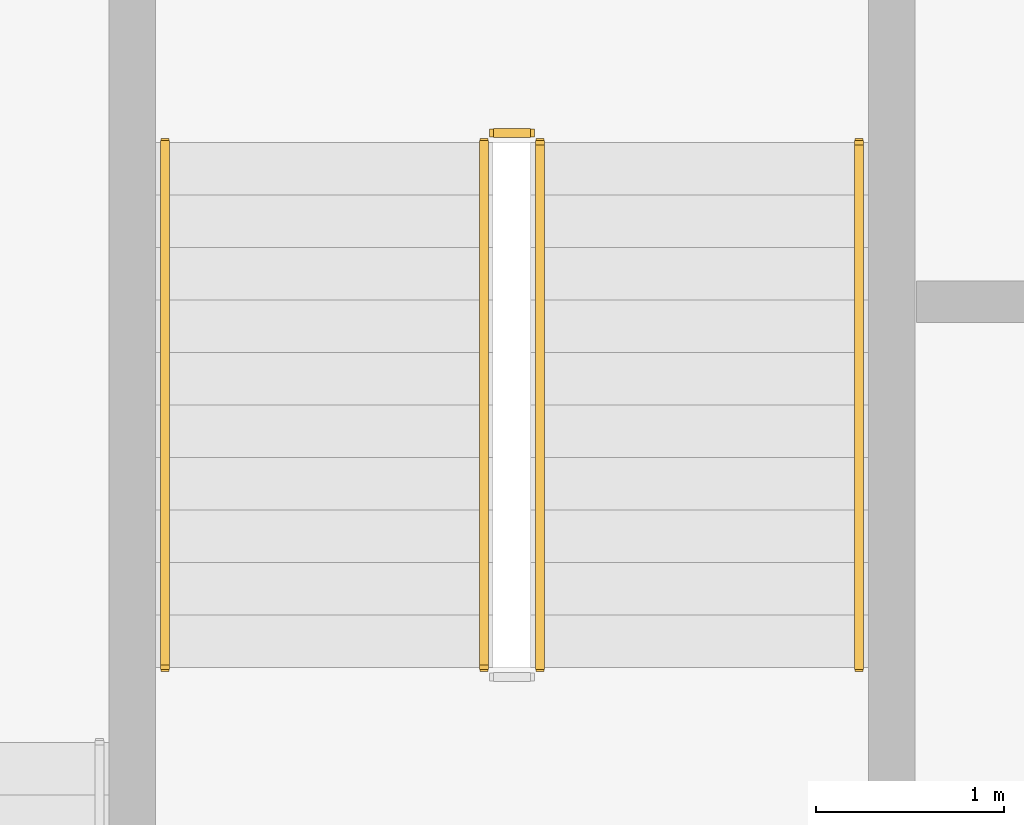
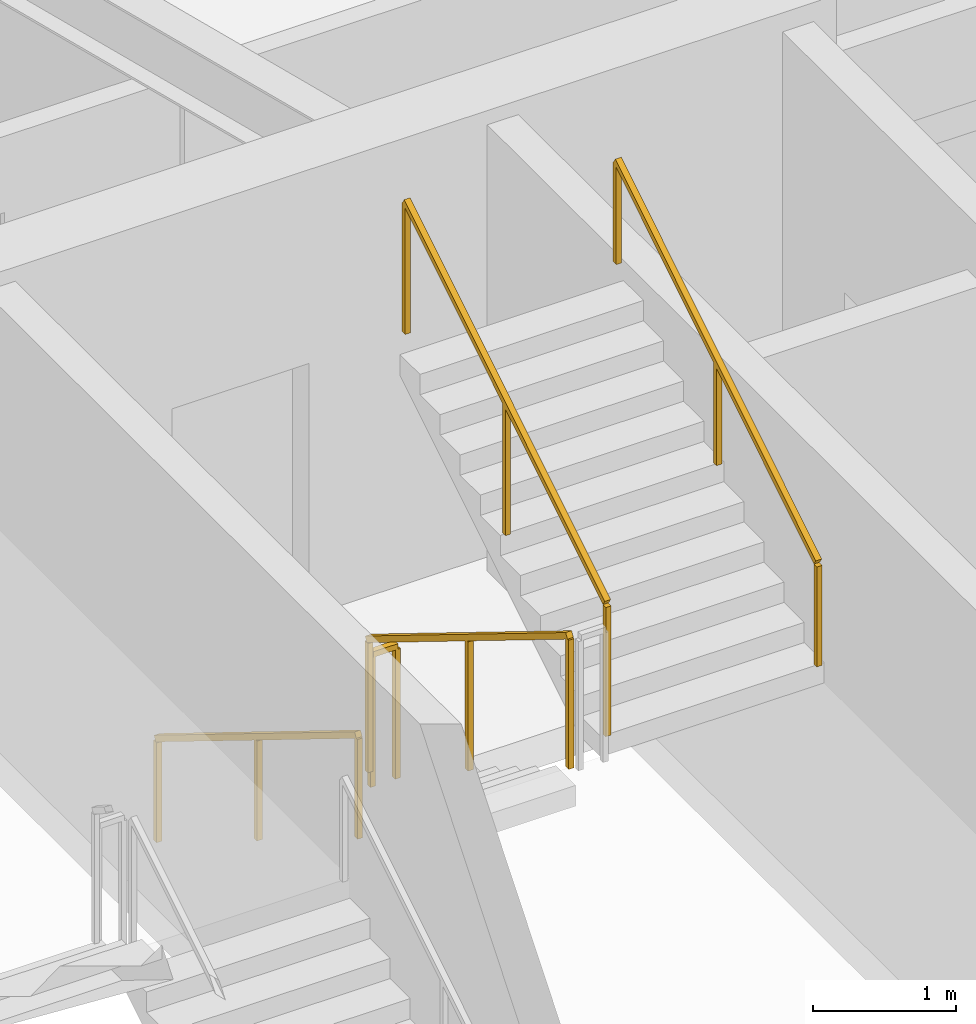
# One storey, part 23 of 23: 5 railings.
"""IFC4 building model written with IfcOpenShell, lengths in metres."""

import ifcopenshell
import ifcopenshell.guid

model = None  # the IFC model being written
_history = None  # IfcOwnerHistory: only IFC2X3 demands one
_inside = {}  # id of a spatial element -> (the spatial element, [elements in it])
_under = {}  # id of a project, library or spatial element -> (it, [spatial elements below it])
_declared = {}  # id of a project -> (the project, [libraries it declares])
_typed = {}  # id of a type object -> (the type object, [elements of that type])
_made_of = {}  # id of a material, layer set ... -> (it, [elements and type objects made of it])


def new_model(schema):
    """Start an empty IFC model of exactly this schema.

    Asked for "IFC4X3", IfcOpenShell would pick the latest addendum, in which some entities
    have other attributes; the version numbers below select the first issue.
    IFC2X3 requires an IfcOwnerHistory on every rooted entity: one is made here for all.
    """
    global model, _history
    if schema == "IFC4X3":
        model = ifcopenshell.file(schema_version=(4, 3, 0, 0))
    else:
        model = ifcopenshell.file(schema=schema)
    _inside.clear()
    _under.clear()
    _declared.clear()
    _typed.clear()
    _made_of.clear()
    _history = None
    if model.schema == "IFC2X3":
        org = make("IfcOrganization", Name="unknown")
        user = make(
            "IfcPersonAndOrganization",
            ThePerson=make("IfcPerson", FamilyName="unknown"),
            TheOrganization=org,
        )
        app = make(
            "IfcApplication",
            ApplicationDeveloper=org,
            Version="unknown",
            ApplicationFullName="unknown",
            ApplicationIdentifier="unknown",
        )
        _history = make(
            "IfcOwnerHistory",
            OwningUser=user,
            OwningApplication=app,
            ChangeAction="ADDED",
            CreationDate=0,
        )
    return model


def make(cls, **values):
    """One entity of the class cls with the attributes given. An attribute that is None is left unset."""
    return model.create_entity(
        cls, **{name: value for name, value in values.items() if value is not None}
    )


def rooted(cls, **values):
    """An entity with a GlobalId (a new one), such as an element, a storey or a relation."""
    return make(cls, GlobalId=ifcopenshell.guid.new(), OwnerHistory=_history, **values)


def si_unit(unit_type, name, prefix=None):
    """IfcSIUnit, for example si_unit("LENGTHUNIT", "METRE", prefix="MILLI")."""
    return make("IfcSIUnit", UnitType=unit_type, Prefix=prefix, Name=name)


def assignment(units):
    """IfcUnitAssignment: the units of a project."""
    return None if units is None else make("IfcUnitAssignment", Units=units)


def point(xyz):
    """IfcCartesianPoint."""
    return None if xyz is None else make("IfcCartesianPoint", Coordinates=xyz)


def direction(xyz):
    """IfcDirection."""
    return None if xyz is None else make("IfcDirection", DirectionRatios=xyz)


def frame(location, z_axis=None, x_axis=None):
    """IfcAxis2Placement3D, a coordinate frame: its origin and axes. An axis left out is left unset."""
    return make(
        "IfcAxis2Placement3D",
        Location=point(location),
        Axis=direction(z_axis),
        RefDirection=direction(x_axis),
    )


def frame_2d(location, x_axis=None):
    """IfcAxis2Placement2D, a coordinate frame in the plane: its origin and x axis."""
    return make(
        "IfcAxis2Placement2D", Location=point(location), RefDirection=direction(x_axis)
    )


def origin():
    """The frame at (0, 0, 0) with its axes left unset."""
    return frame((0.0, 0.0, 0.0))


def origin_2d():
    """The frame at (0, 0) in the plane with its x axis left unset."""
    return frame_2d((0.0, 0.0))


def place(relative_to, where):
    """IfcLocalPlacement: puts the frame where relative to a parent placement (None: the world)."""
    return make(
        "IfcLocalPlacement", PlacementRelTo=relative_to, RelativePlacement=where
    )


def context(
    kind, dimensions, precision=None, world=None, true_north=None, identifier=None
):
    """IfcGeometricRepresentationContext, for example the 3D "Model" context."""
    return make(
        "IfcGeometricRepresentationContext",
        ContextIdentifier=identifier,
        ContextType=kind,
        CoordinateSpaceDimension=dimensions,
        Precision=precision,
        WorldCoordinateSystem=world,
        TrueNorth=true_north,
    )


def subcontext(parent, identifier, kind, view, scale=None):
    """IfcGeometricRepresentationSubContext, for example "Body" below "Model"."""
    return make(
        "IfcGeometricRepresentationSubContext",
        ContextIdentifier=identifier,
        ContextType=kind,
        ParentContext=parent,
        TargetScale=scale,
        TargetView=view,
    )


def project(units=None, contexts=None):
    """IfcProject with its units and contexts."""
    return rooted(
        "IfcProject",
        Name="project",
        RepresentationContexts=contexts,
        UnitsInContext=assignment(units),
    )


def spatial(cls, under=None, at=None, **own):
    """A site, building, storey or space (cls), placed at a placement, below another one or the project."""
    s = rooted(cls, ObjectPlacement=at, **own)
    if under is not None:
        _under.setdefault(under.id(), (under, []))[1].append(s)
    return s


def profile(cls, at=None, kind="AREA", **sizes):
    """A parametric profile (cls). Its sizes go by their IFC names, for example OverallWidth=200.0."""
    return make(cls, ProfileType=kind, Position=at, **sizes)


def rectangle(**sizes):
    """IfcRectangleProfileDef."""
    return profile("IfcRectangleProfileDef", **sizes)


def extrude(swept, where, along, depth):
    """IfcExtrudedAreaSolid: the profile swept, set in the frame where, extruded along a direction by depth."""
    return make(
        "IfcExtrudedAreaSolid",
        SweptArea=swept,
        Position=where,
        ExtrudedDirection=direction(along),
        Depth=depth,
    )


def shape(context_of_items, identifier, shape_type, items):
    """IfcShapeRepresentation: the items that make up one representation, for example the "Body"."""
    return make(
        "IfcShapeRepresentation",
        ContextOfItems=context_of_items,
        RepresentationIdentifier=identifier,
        RepresentationType=shape_type,
        Items=items,
    )


def material(Name=None, Category=None):
    """IfcMaterial."""
    return make("IfcMaterial", Name=Name, Category=Category)


def made_of(thing, what):
    """Note that an element or type object is made of a material, layer set ...; save() writes the relation."""
    if what is not None:
        _made_of.setdefault(what.id(), (what, []))[1].append(thing)
    return thing


def type_object(cls, material=None, **own):
    """A type object (cls), such as IfcWallType, which elements share."""
    return made_of(rooted(cls, **own), material)


def element(
    cls,
    number,
    at=None,
    inside=None,
    cuts=None,
    type_object=None,
    material=None,
    context=None,
    identifier="Body",
    shape_type=None,
    held_by="IfcProductDefinitionShape",
    body=None,
    shapes=None,
    **own,
):
    """One element of the class cls, such as IfcWall. Its Tag is "e" and its number.

    at: its placement. inside: the storey or other place that contains it. cuts: it is an
    opening in that element (IfcRelVoidsElement). A single representation is given by context,
    identifier, shape_type and body (its items); several are given by shapes. held_by: the class
    of the entity that holds the representations. save() writes the other relations.
    """
    e = rooted(cls, Tag="e%d" % number, ObjectPlacement=at, **own)
    if body is not None:
        shapes = [shape(context, identifier, shape_type, body)]
    if shapes is not None:
        e.Representation = make(held_by, Representations=shapes)
    if inside is not None:
        _inside.setdefault(inside.id(), (inside, []))[1].append(e)
    if cuts is not None:
        rooted(
            "IfcRelVoidsElement", RelatingBuildingElement=cuts, RelatedOpeningElement=e
        )
    if type_object is not None:
        _typed.setdefault(type_object.id(), (type_object, []))[1].append(e)
    return made_of(e, material)


def aggregate(whole, parts):
    """IfcRelAggregates: a whole, such as a stair, and the parts it consists of."""
    return rooted("IfcRelAggregates", RelatingObject=whole, RelatedObjects=parts)


def save(model, path):
    """Write the relations noted so far, then the file.

    IfcRelAggregates (storeys below a building ...), IfcRelContainedInSpatialStructure (elements
    in a storey), IfcRelDefinesByType, IfcRelAssociatesMaterial and IfcRelDeclares: one each for
    every whole, place, type object, material and project.
    """
    for whole, parts in _under.values():
        aggregate(whole, parts)
    for where, things in _inside.values():
        rooted(
            "IfcRelContainedInSpatialStructure",
            RelatedElements=things,
            RelatingStructure=where,
        )
    for kind, things in _typed.values():
        rooted("IfcRelDefinesByType", RelatedObjects=things, RelatingType=kind)
    for what, things in _made_of.values():
        rooted("IfcRelAssociatesMaterial", RelatedObjects=things, RelatingMaterial=what)
    for by, libraries in _declared.values():
        rooted("IfcRelDeclares", RelatingContext=by, RelatedDefinitions=libraries)
    model.write(path)


model = new_model("IFC4")

# Units and contexts
model_context = context("Model", 3, precision=1e-05, world=origin(), true_north=direction((0.0, 1.0)))
body_context = subcontext(model_context, "Body", "Model", "MODEL_VIEW")
ifc_project = project(units=[si_unit("LENGTHUNIT", "METRE"), si_unit("AREAUNIT", "SQUARE_METRE"), si_unit("VOLUMEUNIT", "CUBIC_METRE"), si_unit("PLANEANGLEUNIT", "RADIAN"), si_unit("MASSUNIT", "GRAM", prefix="KILO")], contexts=[model_context])

# Site, building, storey
site_placement = place(None, origin())
site = spatial("IfcSite", under=ifc_project, at=site_placement, CompositionType="ELEMENT")
building_placement = place(site_placement, origin())
building = spatial("IfcBuilding", under=site, at=building_placement, Name="Zuhravey Tower", CompositionType="ELEMENT")
storey_placement = place(building_placement, frame((0.0, 0.0, 353.800048828125)))
storey = spatial("IfcBuildingStorey", under=building, at=storey_placement, Name="L90", CompositionType="ELEMENT", Elevation=353.800048828125)

# Railings
ifc_material_1 = material(Name="Brushed stainless steel", Category="steel")
railing_type_1 = type_object("IfcRailingType", Name="Stair Wall Handrail 900", PredefinedType="HANDRAIL", material=ifc_material_1)
railing_1_placement = place(storey_placement, frame((30.10009765625, 39.199951171875, 0.172607421875)))
element("IfcRailing", 1, at=railing_1_placement, inside=storey, type_object=railing_type_1, Name="L90 ST3 stair handrail 1", PredefinedType="HANDRAIL", context=body_context, shape_type="SweptSolid", body=[
    extrude(rectangle(XDim=0.048095703125, YDim=0.048095703125, at=origin_2d()), frame((0.0, -0.001708984375, 0.876953125), z_axis=(0.0, -0.851089632645, 0.525020415988), x_axis=(1.0, 0.0, 0.0)), (0.0, 0.0, 1.0), 3.285888671875),
    extrude(rectangle(XDim=0.0419921875, YDim=0.0419921875, at=origin_2d()), origin(), (0.0, 0.0, 1.0), 0.849853515625),
    extrude(rectangle(XDim=0.0419921875, YDim=0.0419921875, at=origin_2d()), frame((0.0, -1.39990234375, 0.86376953125)), (0.0, 0.0, 1.0), 0.849853515625),
    extrude(rectangle(XDim=0.0419921875, YDim=0.0419921875, at=origin_2d()), frame((0.0, -2.800048828125, 1.727294921875)), (0.0, 0.0, 1.0), 0.849853515625),
])
railing_2_placement = place(storey_placement, frame((33.800048828125, 36.39990234375, 2.07275390625)))
element("IfcRailing", 2, at=railing_2_placement, inside=storey, type_object=railing_type_1, Name="L90 ST3 stair handrail 2", PredefinedType="HANDRAIL", context=body_context, shape_type="SweptSolid", body=[
    extrude(rectangle(XDim=0.048095703125, YDim=0.048095703125, at=origin_2d()), frame((0.0, 0.001708984375, 0.876953125), z_axis=(0.0, 0.851089632645, 0.525020415988), x_axis=(-1.0, 0.0, 0.0)), (0.0, 0.0, 1.0), 3.285888671875),
    extrude(rectangle(XDim=0.0419921875, YDim=0.0419921875, at=origin_2d()), origin(), (0.0, 0.0, 1.0), 0.849853515625),
    extrude(rectangle(XDim=0.0419921875, YDim=0.0419921875, at=origin_2d()), frame((0.0, 1.39990234375, 0.86376953125)), (0.0, 0.0, 1.0), 0.849853515625),
    extrude(rectangle(XDim=0.0419921875, YDim=0.0419921875, at=origin_2d()), frame((0.0, 2.800048828125, 1.727294921875)), (0.0, 0.0, 1.0), 0.849853515625),
])
ifc_material_2 = material(Name="Painted tubular steel", Category="steel")
railing_type_2 = type_object("IfcRailingType", Name="Stair Well Guardrail 1150", PredefinedType="GUARDRAIL", material=ifc_material_2)
railing_3_placement = place(storey_placement, frame((31.800048828125, 39.199951171875, 0.172607421875)))
element("IfcRailing", 3, at=railing_3_placement, inside=storey, type_object=railing_type_2, Name="L90 ST3 stair guard 1", PredefinedType="GUARDRAIL", context=body_context, shape_type="SweptSolid", body=[
    extrude(rectangle(XDim=0.048095703125, YDim=0.048095703125, at=origin_2d()), frame((0.0, -0.001708984375, 1.126953125), z_axis=(0.0, -0.851089632645, 0.525020415988), x_axis=(1.0, 0.0, 0.0)), (0.0, 0.0, 1.0), 3.285888671875),
    extrude(rectangle(XDim=0.0419921875, YDim=0.0419921875, at=origin_2d()), origin(), (0.0, 0.0, 1.0), 1.099853515625),
    extrude(rectangle(XDim=0.0419921875, YDim=0.0419921875, at=origin_2d()), frame((0.0, -1.39990234375, 0.86376953125)), (0.0, 0.0, 1.0), 1.099853515625),
    extrude(rectangle(XDim=0.0419921875, YDim=0.0419921875, at=origin_2d()), frame((0.0, -2.800048828125, 1.727294921875)), (0.0, 0.0, 1.0), 1.099853515625),
])
railing_4_placement = place(storey_placement, frame((32.10009765625, 36.39990234375, 2.07275390625)))
element("IfcRailing", 4, at=railing_4_placement, inside=storey, type_object=railing_type_2, Name="L90 ST3 stair guard 3", PredefinedType="GUARDRAIL", context=body_context, shape_type="SweptSolid", body=[
    extrude(rectangle(XDim=0.048095703125, YDim=0.048095703125, at=origin_2d()), frame((0.0, 0.001708984375, 1.126953125), z_axis=(0.0, 0.851089632645, 0.525020415988), x_axis=(-1.0, 0.0, 0.0)), (0.0, 0.0, 1.0), 3.285888671875),
    extrude(rectangle(XDim=0.0419921875, YDim=0.0419921875, at=origin_2d()), origin(), (0.0, 0.0, 1.0), 1.099853515625),
    extrude(rectangle(XDim=0.0419921875, YDim=0.0419921875, at=origin_2d()), frame((0.0, 1.39990234375, 0.86376953125)), (0.0, 0.0, 1.0), 1.099853515625),
    extrude(rectangle(XDim=0.0419921875, YDim=0.0419921875, at=origin_2d()), frame((0.0, 2.800048828125, 1.727294921875)), (0.0, 0.0, 1.0), 1.099853515625),
])
railing_5_placement = place(storey_placement, frame((31.85009765625, 39.25, 0.0)))
element("IfcRailing", 5, at=railing_5_placement, inside=storey, type_object=railing_type_2, Name="L90 ST3 stair guard 4", PredefinedType="GUARDRAIL", context=body_context, shape_type="SweptSolid", body=[
    extrude(rectangle(XDim=0.048095703125, YDim=0.048095703125, at=origin_2d()), frame((0.001953125, 0.0, 1.1259765625), z_axis=(1.0, 0.0, 0.0), x_axis=(0.0, 1.0, 0.0)), (0.0, 0.0, 1.0), 0.196044921875),
    extrude(rectangle(XDim=0.0419921875, YDim=0.0419921875, at=origin_2d()), origin(), (0.0, 0.0, 1.0), 1.099853515625),
    extrude(rectangle(XDim=0.0419921875, YDim=0.0419921875, at=origin_2d()), frame((0.199951171875, 0.0, 0.0)), (0.0, 0.0, 1.0), 1.099853515625),
])

save(model, "model.ifc")
